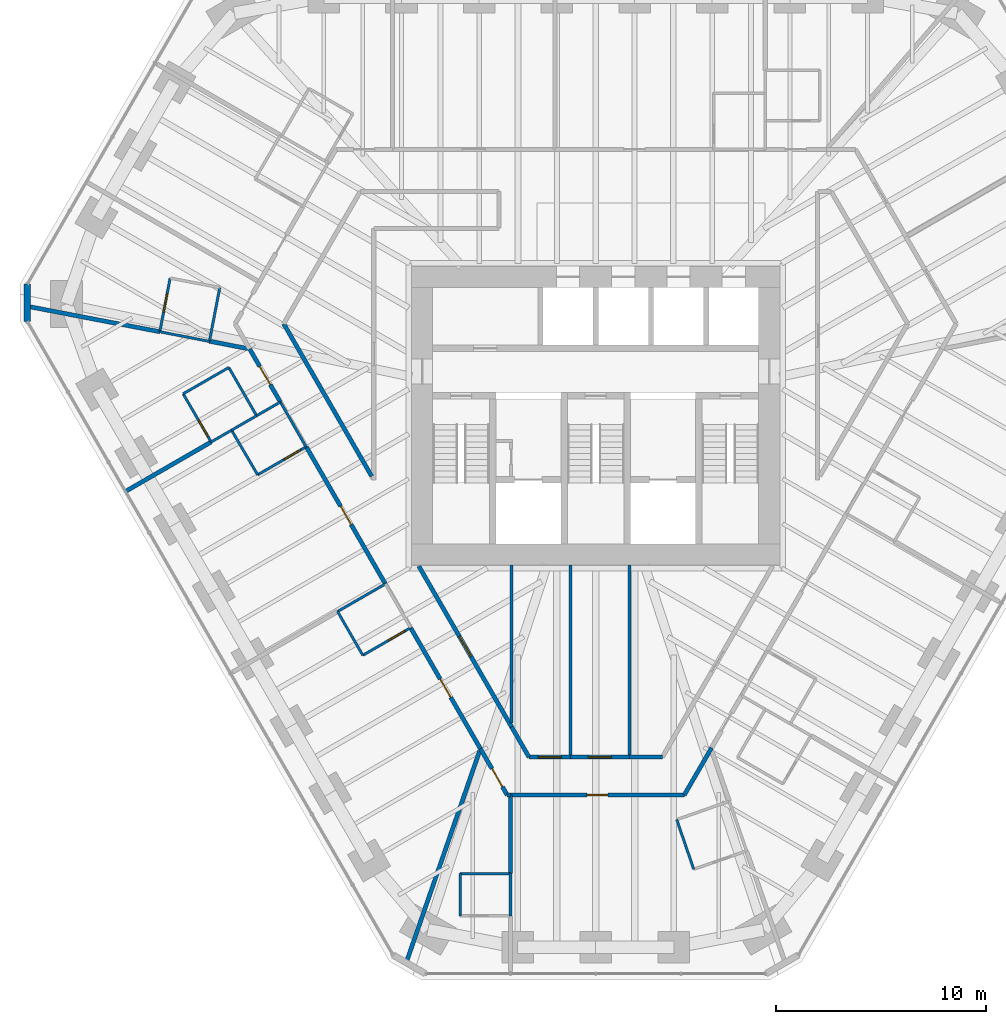
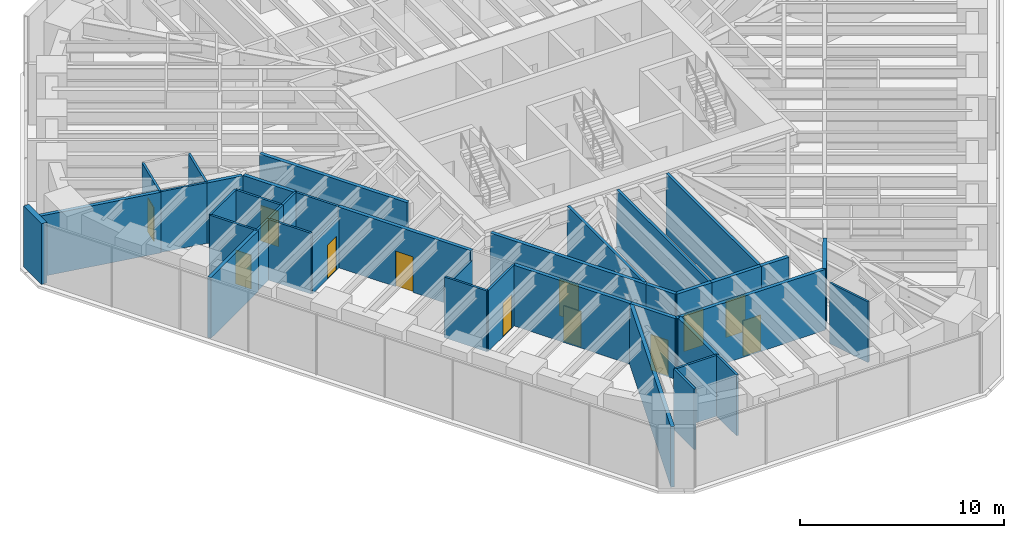
# One storey, part 11 of 16: 41 walls, 12 doors, 12 openings.
"""IFC4 building model written with IfcOpenShell, lengths in metres."""

from ifc_helpers import new_model, si_unit, direction, frame, frame_2d, origin, place, context, subcontext, project, spatial, rectangle, extrude, material, layer, layer_set, type_object, element, fill, save


model = new_model("IFC4")

# Units and contexts
model_context = context("Model", 3, precision=1e-05, world=origin(), true_north=direction((0.0, 1.0)))
body_context = subcontext(model_context, "Body", "Model", "MODEL_VIEW")
ifc_project = project(units=[si_unit("LENGTHUNIT", "METRE"), si_unit("AREAUNIT", "SQUARE_METRE"), si_unit("VOLUMEUNIT", "CUBIC_METRE"), si_unit("PLANEANGLEUNIT", "RADIAN"), si_unit("MASSUNIT", "GRAM", prefix="KILO")], contexts=[model_context])

# Site, building, storey
site_placement = place(None, origin())
site = spatial("IfcSite", under=ifc_project, at=site_placement, CompositionType="ELEMENT")
building_placement = place(site_placement, origin())
building = spatial("IfcBuilding", under=site, at=building_placement, Name="Sandreach Pilgrim Tower", CompositionType="ELEMENT")
storey_placement = place(building_placement, frame((0.0, 0.0, 225.0)))
storey = spatial("IfcBuildingStorey", under=building, at=storey_placement, Name="L56", CompositionType="ELEMENT", Elevation=225.0)

# Walls
ifc_material_1 = material(Name="Gypsum board on steel studs", Category="steel")
ifc_layer_1 = layer(ifc_material_1, 0.14990234375)
ifc_layer_set_1 = layer_set([ifc_layer_1], Name="Back of house wall 150")
wall_type_1 = type_object("IfcWallType", Name="Back of house wall 150", PredefinedType="PARTITIONING", material=ifc_layer_set_1)
wall_1_placement = place(storey_placement, frame((-4.0, -7.10009765625, 0.0), z_axis=(0.0, 0.0, 1.0), x_axis=(0.0, -1.0, 0.0)))
element("IfcWall", 1, at=wall_1_placement, inside=storey, type_object=wall_type_1, Name="Back of house wall L56-058", PredefinedType="PARTITIONING", context=body_context, shape_type="SweptSolid", body=[
    extrude(rectangle(XDim=7.514892578125, YDim=0.14990234375, at=frame_2d((3.75732421875, 0.0))), origin(), (0.0, 0.0, 1.0), 3.639892578125),
])
for number, where, z_axis, x_axis, name in (
    (2, (-1.199951171875, -7.10009765625, 0.0), (0.0, 0.0, 1.0), (0.0, -1.0, 0.0), "Back of house wall L56-063"),
    (3, (1.60009765625, -7.10009765625, 0.0), (0.0, 0.0, 1.0), (0.0, -1.0, 0.0), "Back of house wall L56-065"),
):
    element("IfcWall", number, at=place(storey_placement, frame(where, z_axis=z_axis, x_axis=x_axis)), inside=storey, type_object=wall_type_1, Name=name, PredefinedType="PARTITIONING", context=body_context, shape_type="SweptSolid", body=[
        extrude(rectangle(XDim=9.1298828125, YDim=0.14990234375, at=frame_2d((4.56494140625, 0.0))), origin(), (0.0, 0.0, 1.0), 3.639892578125),
    ])

# Wall, opening, door
ifc_material_2 = material(Name="Moisture-resistant gypsum board on steel studs", Category="steel")
ifc_layer_2 = layer(ifc_material_2, 0.1201171875)
ifc_layer_set_2 = layer_set([ifc_layer_2], Name="Bathroom partition 120")
wall_type_2 = type_object("IfcWallType", Name="Bathroom partition 120", PredefinedType="PARTITIONING", material=ifc_layer_set_2)
wall_2_placement = place(storey_placement, frame((-20.22998046875, 6.5400390625, 0.0), z_axis=(0.0, 0.0, 1.0), x_axis=(-0.188697442844, -0.982035271802, 0.0)))
wall_2 = element("IfcWall", 4, at=wall_2_placement, inside=storey, type_object=wall_type_2, Name="Bathroom partition L56-005", PredefinedType="PARTITIONING", context=body_context, shape_type="SweptSolid", body=[
    extrude(rectangle(XDim=2.5966796875, YDim=0.1201171875, at=frame_2d((1.29833984375, 0.0))), origin(), (0.0, 0.0, 1.0), 3.639892578125),
])
opening_1_placement = place(wall_2_placement, frame((0.75, 0.0, 0.0)))
opening_1 = element("IfcOpeningElement", 5, at=opening_1_placement, cuts=wall_2, Name="Opening D09-14B", PredefinedType="OPENING", context=body_context, shape_type="SweptSolid", body=[
    extrude(rectangle(XDim=0.89990234375, YDim=2.030029296875, at=frame_2d((0.449951171875, 1.01513671875))), frame((0.0, 0.06005859375, 0.0), z_axis=(0.0, -1.0, 0.0), x_axis=(1.0, 0.0, 0.0)), (0.0, 0.0, 1.0), 0.1201171875),
])
ifc_material_3 = material(Name="Timber door, steel frame", Category="steel")
door_type_1 = type_object("IfcDoorType", Name="Bathroom door", OperationType="SINGLE_SWING_LEFT", PredefinedType="DOOR", material=ifc_material_3)
door_1_placement = place(opening_1_placement, origin())
door_1 = element("IfcDoor", 6, at=door_1_placement, inside=storey, type_object=door_type_1, Name="Door 5614B", OperationType="SINGLE_SWING_LEFT", OverallHeight=2.030029296875, OverallWidth=0.89990234375, PredefinedType="DOOR", context=body_context, shape_type="SweptSolid", body=[
    extrude(rectangle(XDim=0.89990234375, YDim=2.030029296875, at=frame_2d((0.449951171875, 1.01513671875))), frame((0.0, 0.02490234375, 0.0), z_axis=(0.0, -1.0, 0.0), x_axis=(1.0, 0.0, 0.0)), (0.0, 0.0, 1.0), 0.050048828125),
])
fill(opening_1, door_1)

wall_3_placement = place(storey_placement, frame((-19.610107421875, 1.0400390625, 0.0), z_axis=(0.0, 0.0, 1.0), x_axis=(0.502242265546, -0.864726954997, 0.0)))
wall_3 = element("IfcWall", 7, at=wall_3_placement, inside=storey, type_object=wall_type_2, Name="Bathroom partition L56-006", PredefinedType="PARTITIONING", context=body_context, shape_type="SweptSolid", body=[
    extrude(rectangle(XDim=2.648193359375, YDim=0.1201171875, at=frame_2d((1.32421875, 0.0))), origin(), (0.0, 0.0, 1.0), 3.639892578125),
])
opening_2_placement = place(wall_3_placement, frame((1.4482421875, 0.0, 0.0)))
opening_2 = element("IfcOpeningElement", 8, at=opening_2_placement, cuts=wall_3, Name="Opening D09-13B", PredefinedType="OPENING", context=body_context, shape_type="SweptSolid", body=[
    extrude(rectangle(XDim=0.89990234375, YDim=2.030029296875, at=frame_2d((0.449951171875, 1.01513671875))), frame((0.0, 0.06005859375, 0.0), z_axis=(0.0, -1.0, 0.0), x_axis=(1.0, 0.0, 0.0)), (0.0, 0.0, 1.0), 0.1201171875),
])
door_2_placement = place(opening_2_placement, origin())
door_2 = element("IfcDoor", 9, at=door_2_placement, inside=storey, type_object=door_type_1, Name="Door 5613B", OperationType="SINGLE_SWING_RIGHT", OverallHeight=2.030029296875, OverallWidth=0.89990234375, PredefinedType="DOOR", context=body_context, shape_type="SweptSolid", body=[
    extrude(rectangle(XDim=0.89990234375, YDim=2.030029296875, at=frame_2d((0.449951171875, 1.01513671875))), frame((0.0, 0.02490234375, 0.0), z_axis=(0.0, -1.0, 0.0), x_axis=(1.0, 0.0, 0.0)), (0.0, 0.0, 1.0), 0.050048828125),
])
fill(opening_2, door_2)

# Walls
wall_4_placement = place(storey_placement, frame((-18.360107421875, 3.530029296875, 0.0), z_axis=(0.0, 0.0, 1.0), x_axis=(-0.981529676402, 0.191309943135, 0.0)))
element("IfcWall", 10, at=wall_4_placement, inside=storey, type_object=wall_type_2, Name="Bathroom partition L56-007", PredefinedType="PARTITIONING", context=body_context, shape_type="SweptSolid", body=[
    extrude(rectangle(XDim=2.404296875, YDim=0.1201171875, at=frame_2d((1.2021484375, 0.0))), origin(), (0.0, 0.0, 1.0), 3.639892578125),
])
wall_5_placement = place(storey_placement, frame((-18.360107421875, 3.5400390625, 0.0), z_axis=(0.0, 0.0, 1.0), x_axis=(0.188788112352, 0.982017845375, 0.0)))
element("IfcWall", 11, at=wall_5_placement, inside=storey, type_object=wall_type_2, Name="Bathroom partition L56-008", PredefinedType="PARTITIONING", context=body_context, shape_type="SweptSolid", body=[
    extrude(rectangle(XDim=2.5966796875, YDim=0.1201171875, at=frame_2d((1.29833984375, 0.0))), origin(), (0.0, 0.0, 1.0), 3.639892578125),
])
wall_6_placement = place(storey_placement, frame((-18.280029296875, -1.25, 0.0), z_axis=(0.0, 0.0, 1.0), x_axis=(0.866007717299, 0.500030632641, 0.0)))
element("IfcWall", 12, at=wall_6_placement, inside=storey, type_object=wall_type_2, Name="Bathroom partition L56-010", PredefinedType="PARTITIONING", context=body_context, shape_type="SweptSolid", body=[
    extrude(rectangle(XDim=1.1201171875, YDim=0.1201171875, at=frame_2d((0.56005859375, 0.0))), origin(), (0.0, 0.0, 1.0), 3.639892578125),
])
wall_7_placement = place(storey_placement, frame((-17.43994140625, 2.2900390625, 0.0), z_axis=(0.0, 0.0, 1.0), x_axis=(-0.86653430447, -0.499117520406, 0.0)))
element("IfcWall", 13, at=wall_7_placement, inside=storey, type_object=wall_type_2, Name="Bathroom partition L56-012", PredefinedType="PARTITIONING", context=body_context, shape_type="SweptSolid", body=[
    extrude(rectangle(XDim=2.50439453125, YDim=0.1201171875, at=frame_2d((1.252197265625, 0.0))), origin(), (0.0, 0.0, 1.0), 3.639892578125),
])
wall_8_placement = place(storey_placement, frame((-17.31005859375, -0.68994140625, 0.0), z_axis=(0.0, 0.0, 1.0), x_axis=(0.865940235891, 0.500147486112, 0.0)))
element("IfcWall", 14, at=wall_8_placement, inside=storey, type_object=wall_type_2, Name="Bathroom partition L56-013", PredefinedType="PARTITIONING", context=body_context, shape_type="SweptSolid", body=[
    extrude(rectangle(XDim=1.37548828125, YDim=0.1201171875, at=frame_2d((0.687744140625, 0.0))), origin(), (0.0, 0.0, 1.0), 3.639892578125),
])
wall_9_placement = place(storey_placement, frame((-17.31005859375, -0.68994140625, 0.0), z_axis=(0.0, 0.0, 1.0), x_axis=(0.50485955871, -0.863201497901, 0.0)))
element("IfcWall", 15, at=wall_9_placement, inside=storey, type_object=wall_type_2, Name="Bathroom partition L56-014", PredefinedType="PARTITIONING", context=body_context, shape_type="SweptSolid", body=[
    extrude(rectangle(XDim=2.4560546875, YDim=0.1201171875, at=frame_2d((1.22802734375, 0.0))), origin(), (0.0, 0.0, 1.0), 3.639892578125),
])
wall_10_placement = place(storey_placement, frame((-16.1201171875, 0.0, 0.0), z_axis=(0.0, 0.0, 1.0), x_axis=(-0.499338582192, 0.866406936915, 0.0)))
element("IfcWall", 16, at=wall_10_placement, inside=storey, type_object=wall_type_2, Name="Bathroom partition L56-020", PredefinedType="PARTITIONING", context=body_context, shape_type="SweptSolid", body=[
    extrude(rectangle(XDim=2.64306640625, YDim=0.1201171875, at=frame_2d((1.321533203125, 0.0))), origin(), (0.0, 0.0, 1.0), 3.639892578125),
])
wall_11_placement = place(storey_placement, frame((-16.118896484375, -0.001953125, 0.0), z_axis=(0.0, 0.0, 1.0), x_axis=(0.865998449813, 0.500046682742, 0.0)))
element("IfcWall", 17, at=wall_11_placement, inside=storey, type_object=wall_type_2, Name="Bathroom partition L56-021", PredefinedType="PARTITIONING", context=body_context, shape_type="SweptSolid", body=[
    extrude(rectangle(XDim=1.3037109375, YDim=0.1201171875, at=frame_2d((0.65185546875, 0.0))), origin(), (0.0, 0.0, 1.0), 3.639892578125),
])

# Wall, opening, door
wall_12_placement = place(storey_placement, frame((-16.070068359375, -2.81005859375, 0.0), z_axis=(0.0, 0.0, 1.0), x_axis=(0.865675724273, 0.500605174168, 0.0)))
wall_12 = element("IfcWall", 18, at=wall_12_placement, inside=storey, type_object=wall_type_2, Name="Bathroom partition L56-022", PredefinedType="PARTITIONING", context=body_context, shape_type="SweptSolid", body=[
    extrude(rectangle(XDim=2.656982421875, YDim=0.1201171875, at=frame_2d((1.32861328125, 0.0))), origin(), (0.0, 0.0, 1.0), 3.022705078125),
])
opening_3_placement = place(wall_12_placement, frame((1.456787109375, 0.0, 0.0)))
opening_3 = element("IfcOpeningElement", 19, at=opening_3_placement, cuts=wall_12, Name="Opening D09-12B", PredefinedType="OPENING", context=body_context, shape_type="SweptSolid", body=[
    extrude(rectangle(XDim=0.89990234375, YDim=2.030029296875, at=frame_2d((0.449951171875, 1.01513671875))), frame((0.0, 0.06005859375, 0.0), z_axis=(0.0, -1.0, 0.0), x_axis=(1.0, 0.0, 0.0)), (0.0, 0.0, 1.0), 0.1201171875),
])
door_3_placement = place(opening_3_placement, origin())
door_3 = element("IfcDoor", 20, at=door_3_placement, inside=storey, type_object=door_type_1, Name="Door 5612B", OperationType="SINGLE_SWING_RIGHT", OverallHeight=2.030029296875, OverallWidth=0.89990234375, PredefinedType="DOOR", context=body_context, shape_type="SweptSolid", body=[
    extrude(rectangle(XDim=0.89990234375, YDim=2.030029296875, at=frame_2d((0.449951171875, 1.01513671875))), frame((0.0, 0.02490234375, 0.0), z_axis=(0.0, -1.0, 0.0), x_axis=(1.0, 0.0, 0.0)), (0.0, 0.0, 1.0), 0.050048828125),
])
fill(opening_3, door_3)

# Walls
wall_13_placement = place(storey_placement, frame((-14.989990234375, 0.64990234375, 0.0), z_axis=(0.0, 0.0, 1.0), x_axis=(0.497027744361, -0.86773464915, 0.0)))
element("IfcWall", 21, at=wall_13_placement, inside=storey, type_object=wall_type_2, Name="Bathroom partition L56-024", PredefinedType="PARTITIONING", context=body_context, shape_type="SweptSolid", body=[
    extrude(rectangle(XDim=2.45458984375, YDim=0.1201171875, at=frame_2d((1.227294921875, 0.0))), origin(), (0.0, 0.0, 1.0), 3.639892578125),
])
wall_14_placement = place(storey_placement, frame((-12.27001953125, -9.31005859375, 0.0), z_axis=(0.0, 0.0, 1.0), x_axis=(0.499737123639, -0.866177122335, 0.0)))
element("IfcWall", 22, at=wall_14_placement, inside=storey, type_object=wall_type_2, Name="Bathroom partition L56-033", PredefinedType="PARTITIONING", context=body_context, shape_type="SweptSolid", body=[
    extrude(rectangle(XDim=2.401123046875, YDim=0.1201171875, at=frame_2d((1.20068359375, 0.0))), origin(), (0.0, 0.0, 1.0), 3.639892578125),
])
wall_15_placement = place(storey_placement, frame((-12.27001953125, -9.31005859375, 0.0), z_axis=(0.0, 0.0, 1.0), x_axis=(0.866114241029, 0.499846097802, 0.0)))
element("IfcWall", 23, at=wall_15_placement, inside=storey, type_object=wall_type_2, Name="Bathroom partition L56-034", PredefinedType="PARTITIONING", context=body_context, shape_type="SweptSolid", body=[
    extrude(rectangle(XDim=2.620849609375, YDim=0.1201171875, at=frame_2d((1.310546875, 0.0))), origin(), (0.0, 0.0, 1.0), 3.0380859375),
])

# Wall, opening, door
wall_16_placement = place(storey_placement, frame((-11.070068359375, -11.389892578125, 0.0), z_axis=(0.0, 0.0, 1.0), x_axis=(0.866154567199, 0.49977621564, 0.0)))
wall_16 = element("IfcWall", 24, at=wall_16_placement, inside=storey, type_object=wall_type_2, Name="Bathroom partition L56-037", PredefinedType="PARTITIONING", context=body_context, shape_type="SweptSolid", body=[
    extrude(rectangle(XDim=2.620849609375, YDim=0.1201171875, at=frame_2d((1.310546875, 0.0))), origin(), (0.0, 0.0, 1.0), 3.639892578125),
])
opening_4_placement = place(wall_16_placement, frame((1.4208984375, 0.0, 0.0)))
opening_4 = element("IfcOpeningElement", 25, at=opening_4_placement, cuts=wall_16, Name="Opening D09-11B", PredefinedType="OPENING", context=body_context, shape_type="SweptSolid", body=[
    extrude(rectangle(XDim=0.89990234375, YDim=2.030029296875, at=frame_2d((0.449951171875, 1.01513671875))), frame((0.0, 0.06005859375, 0.0), z_axis=(0.0, -1.0, 0.0), x_axis=(1.0, 0.0, 0.0)), (0.0, 0.0, 1.0), 0.1201171875),
])
door_4_placement = place(opening_4_placement, origin())
door_4 = element("IfcDoor", 26, at=door_4_placement, inside=storey, type_object=door_type_1, Name="Door 5611B", OperationType="SINGLE_SWING_RIGHT", OverallHeight=2.030029296875, OverallWidth=0.89990234375, PredefinedType="DOOR", context=body_context, shape_type="SweptSolid", body=[
    extrude(rectangle(XDim=0.89990234375, YDim=2.030029296875, at=frame_2d((0.449951171875, 1.01513671875))), frame((0.0, 0.02490234375, 0.0), z_axis=(0.0, -1.0, 0.0), x_axis=(1.0, 0.0, 0.0)), (0.0, 0.0, 1.0), 0.050048828125),
])
fill(opening_4, door_4)

# Walls
for number, where, z_axis, x_axis, name in (
    (27, (-6.449951171875, -21.77001953125, 0.0), (0.0, 0.0, 1.0), (0.0, -1.0, 0.0), "Bathroom partition L56-047"),
    (28, (-4.050048828125, -23.780029296875, 0.0), (0.0, 0.0, 1.0), (0.0, 1.0, 0.0), "Bathroom partition L56-053"),
):
    element("IfcWall", number, at=place(storey_placement, frame(where, z_axis=z_axis, x_axis=x_axis)), inside=storey, type_object=wall_type_2, Name=name, PredefinedType="PARTITIONING", context=body_context, shape_type="SweptSolid", body=[
        extrude(rectangle(XDim=2.010009765625, YDim=0.1201171875, at=frame_2d((1.0048828125, 0.0))), origin(), (0.0, 0.0, 1.0), 3.639892578125),
    ])
wall_17_placement = place(storey_placement, frame((-4.050048828125, -21.77001953125, 0.0), z_axis=(0.0, 0.0, 1.0), x_axis=(-1.0, 0.0, 0.0)))
element("IfcWall", 29, at=wall_17_placement, inside=storey, type_object=wall_type_2, Name="Bathroom partition L56-054", PredefinedType="PARTITIONING", context=body_context, shape_type="SweptSolid", body=[
    extrude(rectangle(XDim=2.39990234375, YDim=0.1201171875, at=frame_2d((1.199951171875, 0.0))), origin(), (0.0, 0.0, 1.0), 3.639892578125),
])
wall_18_placement = place(storey_placement, frame((3.85009765625, -19.199951171875, 0.0), z_axis=(0.0, 0.0, 1.0), x_axis=(0.324551952924, -0.945867871245, 0.0)))
element("IfcWall", 30, at=wall_18_placement, inside=storey, type_object=wall_type_2, Name="Bathroom partition L56-067", PredefinedType="PARTITIONING", context=body_context, shape_type="SweptSolid", body=[
    extrude(rectangle(XDim=2.4951171875, YDim=0.1201171875, at=frame_2d((1.24755859375, 0.0))), origin(), (0.0, 0.0, 1.0), 3.639892578125),
])

# Wall, opening, door
ifc_material_4 = material(Name="Gypsum board on steel studs, two layers each side", Category="steel")
ifc_layer_3 = layer(ifc_material_4, 0.199951171875)
ifc_layer_set_3 = layer_set([ifc_layer_3], Name="Corridor wall 200")
wall_type_3 = type_object("IfcWallType", Name="Corridor wall 200", PredefinedType="PARTITIONING", material=ifc_layer_set_3)
wall_19_placement = place(storey_placement, frame((-16.449951171875, 3.169921875, 0.0), z_axis=(0.0, 0.0, 1.0), x_axis=(0.501293994647, -0.865277025542, 0.0)))
wall_19 = element("IfcWall", 31, at=wall_19_placement, inside=storey, type_object=wall_type_3, Name="Corridor wall L56-018", PredefinedType="PARTITIONING", context=body_context, shape_type="SweptSolid", body=[
    extrude(rectangle(XDim=2.912353515625, YDim=0.199951171875, at=frame_2d((1.4560546875, 0.0))), origin(), (0.0, 0.0, 1.0), 3.639892578125),
])
opening_5_placement = place(wall_19_placement, frame((0.956298828125, 0.0, 0.0)))
opening_5 = element("IfcOpeningElement", 32, at=opening_5_placement, cuts=wall_19, Name="Opening D10-13", PredefinedType="OPENING", context=body_context, shape_type="SweptSolid", body=[
    extrude(rectangle(XDim=1.0, YDim=2.1298828125, at=frame_2d((0.5, 1.06494140625))), frame((0.0, 0.10009765625, 0.0), z_axis=(0.0, -1.0, 0.0), x_axis=(1.0, 0.0, 0.0)), (0.0, 0.0, 1.0), 0.199951171875),
])
ifc_material_5 = material(Name="Steel door and frame", Category="steel")
door_type_2 = type_object("IfcDoorType", Name="Guest room entry door", OperationType="SINGLE_SWING_LEFT", PredefinedType="DOOR", material=ifc_material_5)
door_5_placement = place(opening_5_placement, origin())
door_5 = element("IfcDoor", 33, at=door_5_placement, inside=storey, type_object=door_type_2, Name="Door 5613", OperationType="SINGLE_SWING_LEFT", OverallHeight=2.1298828125, OverallWidth=1.0, PredefinedType="DOOR", context=body_context, shape_type="SweptSolid", body=[
    extrude(rectangle(XDim=1.0, YDim=2.1298828125, at=frame_2d((0.5, 1.06494140625))), frame((0.0, 0.02490234375, 0.0), z_axis=(0.0, -1.0, 0.0), x_axis=(1.0, 0.0, 0.0)), (0.0, 0.0, 1.0), 0.050048828125),
])
fill(opening_5, door_5)

# Wall
wall_20_placement = place(storey_placement, frame((-10.6474609375, -2.881103515625, 0.0), z_axis=(0.0, 0.0, 1.0), x_axis=(-0.499665221769, 0.866218601829, 0.0)))
element("IfcWall", 34, at=wall_20_placement, inside=storey, type_object=wall_type_3, Name="Corridor wall L56-038", PredefinedType="PARTITIONING", context=body_context, shape_type="SweptSolid", body=[
    extrude(rectangle(XDim=8.370849609375, YDim=0.199951171875, at=frame_2d((4.185546875, 0.0))), origin(), (0.0, 0.0, 1.0), 3.639892578125),
])

# Wall, opening, door
wall_21_placement = place(storey_placement, frame((-9.9970703125, -7.998291015625, 0.0), z_axis=(0.0, 0.0, 1.0), x_axis=(-0.499699067435, 0.866199077582, 0.0)))
wall_21 = element("IfcWall", 35, at=wall_21_placement, inside=storey, type_object=wall_type_3, Name="Corridor wall L56-041", PredefinedType="PARTITIONING", context=body_context, shape_type="SweptSolid", body=[
    extrude(rectangle(XDim=7.531494140625, YDim=0.199951171875, at=frame_2d((3.765625, 0.0))), origin(), (0.0, 0.0, 1.0), 3.639892578125),
])
opening_6_placement = place(wall_21_placement, frame((3.265869140625, 0.0, 0.0)))
opening_6 = element("IfcOpeningElement", 36, at=opening_6_placement, cuts=wall_21, Name="Opening D10-12", PredefinedType="OPENING", context=body_context, shape_type="SweptSolid", body=[
    extrude(rectangle(XDim=1.0, YDim=2.1298828125, at=frame_2d((0.5, 1.06494140625))), frame((0.0, 0.10009765625, 0.0), z_axis=(0.0, -1.0, 0.0), x_axis=(1.0, 0.0, 0.0)), (0.0, 0.0, 1.0), 0.199951171875),
])
door_6_placement = place(opening_6_placement, origin())
door_6 = element("IfcDoor", 37, at=door_6_placement, inside=storey, type_object=door_type_2, Name="Door 5612", OperationType="SINGLE_SWING_LEFT", OverallHeight=2.1298828125, OverallWidth=1.0, PredefinedType="DOOR", context=body_context, shape_type="SweptSolid", body=[
    extrude(rectangle(XDim=1.0, YDim=2.1298828125, at=frame_2d((0.5, 1.06494140625))), frame((0.0, 0.02490234375, 0.0), z_axis=(0.0, -1.0, 0.0), x_axis=(1.0, 0.0, 0.0)), (0.0, 0.0, 1.0), 0.050048828125),
])
fill(opening_6, door_6)

wall_22_placement = place(storey_placement, frame((-8.800048828125, -10.080078125, 0.0), z_axis=(0.0, 0.0, 1.0), x_axis=(0.500034373799, -0.866005557153, 0.0)))
wall_22 = element("IfcWall", 38, at=wall_22_placement, inside=storey, type_object=wall_type_3, Name="Corridor wall L56-045", PredefinedType="PARTITIONING", context=body_context, shape_type="SweptSolid", body=[
    extrude(rectangle(XDim=6.6396484375, YDim=0.199951171875, at=frame_2d((3.31982421875, 0.0))), origin(), (0.0, 0.0, 1.0), 3.639892578125),
])
opening_7_placement = place(wall_22_placement, frame((2.81982421875, 0.0, 0.0)))
opening_7 = element("IfcOpeningElement", 39, at=opening_7_placement, cuts=wall_22, Name="Opening D10-11", PredefinedType="OPENING", context=body_context, shape_type="SweptSolid", body=[
    extrude(rectangle(XDim=1.0, YDim=2.1298828125, at=frame_2d((0.5, 1.06494140625))), frame((0.0, 0.10009765625, 0.0), z_axis=(0.0, -1.0, 0.0), x_axis=(1.0, 0.0, 0.0)), (0.0, 0.0, 1.0), 0.199951171875),
])
door_7_placement = place(opening_7_placement, origin())
door_7 = element("IfcDoor", 40, at=door_7_placement, inside=storey, type_object=door_type_2, Name="Door 5611", OperationType="SINGLE_SWING_LEFT", OverallHeight=2.1298828125, OverallWidth=1.0, PredefinedType="DOOR", context=body_context, shape_type="SweptSolid", body=[
    extrude(rectangle(XDim=1.0, YDim=2.1298828125, at=frame_2d((0.5, 1.06494140625))), frame((0.0, 0.02490234375, 0.0), z_axis=(0.0, -1.0, 0.0), x_axis=(1.0, 0.0, 0.0)), (0.0, 0.0, 1.0), 0.050048828125),
])
fill(opening_7, door_7)

wall_23_placement = place(storey_placement, frame((-5.47998046875, -15.830078125, 0.0), z_axis=(0.0, 0.0, 1.0), x_axis=(0.499963722229, -0.866046347752, 0.0)))
wall_23 = element("IfcWall", 41, at=wall_23_placement, inside=storey, type_object=wall_type_3, Name="Corridor wall L56-048", PredefinedType="PARTITIONING", context=body_context, shape_type="SweptSolid", body=[
    extrude(rectangle(XDim=2.540283203125, YDim=0.199951171875, at=frame_2d((1.27001953125, 0.0))), origin(), (0.0, 0.0, 1.0), 3.639892578125),
])
opening_8_placement = place(wall_23_placement, frame((1.10009765625, 0.0, 0.0)))
opening_8 = element("IfcOpeningElement", 42, at=opening_8_placement, cuts=wall_23, Name="Opening D10-10", PredefinedType="OPENING", context=body_context, shape_type="SweptSolid", body=[
    extrude(rectangle(XDim=1.0, YDim=2.1298828125, at=frame_2d((0.5, 1.06494140625))), frame((0.0, 0.10009765625, 0.0), z_axis=(0.0, -1.0, 0.0), x_axis=(1.0, 0.0, 0.0)), (0.0, 0.0, 1.0), 0.199951171875),
])
door_8_placement = place(opening_8_placement, origin())
door_8 = element("IfcDoor", 43, at=door_8_placement, inside=storey, type_object=door_type_2, Name="Door 5610", OperationType="SINGLE_SWING_RIGHT", OverallHeight=2.1298828125, OverallWidth=1.0, PredefinedType="DOOR", context=body_context, shape_type="SweptSolid", body=[
    extrude(rectangle(XDim=1.0, YDim=2.1298828125, at=frame_2d((0.5, 1.06494140625))), frame((0.0, 0.02490234375, 0.0), z_axis=(0.0, -1.0, 0.0), x_axis=(1.0, 0.0, 0.0)), (0.0, 0.0, 1.0), 0.050048828125),
])
fill(opening_8, door_8)

# Wall
wall_24_placement = place(storey_placement, frame((-4.2099609375, -18.030029296875, 0.0), z_axis=(0.0, 0.0, 1.0), x_axis=(1.0, 0.0, 0.0)))
element("IfcWall", 44, at=wall_24_placement, inside=storey, type_object=wall_type_3, Name="Corridor wall L56-051", PredefinedType="PARTITIONING", context=body_context, shape_type="SweptSolid", body=[
    extrude(rectangle(XDim=0.159912109375, YDim=0.199951171875, at=frame_2d((0.080078125, 0.0))), origin(), (0.0, 0.0, 1.0), 3.639892578125),
])

# Wall, opening, door
wall_25_placement = place(storey_placement, frame((-4.050048828125, -18.030029296875, 0.0), z_axis=(0.0, 0.0, 1.0), x_axis=(1.0, 0.0, 0.0)))
wall_25 = element("IfcWall", 45, at=wall_25_placement, inside=storey, type_object=wall_type_3, Name="Corridor wall L56-056", PredefinedType="PARTITIONING", context=body_context, shape_type="SweptSolid", body=[
    extrude(rectangle(XDim=8.260009765625, YDim=0.199951171875, at=frame_2d((4.1298828125, 0.0))), origin(), (0.0, 0.0, 1.0), 3.639892578125),
])
opening_9_placement = place(wall_25_placement, frame((3.6298828125, 0.0, 0.0)))
opening_9 = element("IfcOpeningElement", 46, at=opening_9_placement, cuts=wall_25, Name="Opening D10-09", PredefinedType="OPENING", context=body_context, shape_type="SweptSolid", body=[
    extrude(rectangle(XDim=1.0, YDim=2.1298828125, at=frame_2d((0.5, 1.06494140625))), frame((0.0, 0.10009765625, 0.0), z_axis=(0.0, -1.0, 0.0), x_axis=(1.0, 0.0, 0.0)), (0.0, 0.0, 1.0), 0.199951171875),
])
door_9_placement = place(opening_9_placement, origin())
door_9 = element("IfcDoor", 47, at=door_9_placement, inside=storey, type_object=door_type_2, Name="Door 5609", OperationType="SINGLE_SWING_LEFT", OverallHeight=2.1298828125, OverallWidth=1.0, PredefinedType="DOOR", context=body_context, shape_type="SweptSolid", body=[
    extrude(rectangle(XDim=1.0, YDim=2.1298828125, at=frame_2d((0.5, 1.06494140625))), frame((0.0, 0.02490234375, 0.0), z_axis=(0.0, -1.0, 0.0), x_axis=(1.0, 0.0, 0.0)), (0.0, 0.0, 1.0), 0.050048828125),
])
fill(opening_9, door_9)

wall_26_placement = place(storey_placement, frame((-4.0, -14.7900390625, 0.0), z_axis=(0.0, 0.0, 1.0), x_axis=(-0.499916512745, 0.866073599808, 0.0)))
wall_26 = element("IfcWall", 48, at=wall_26_placement, inside=storey, type_object=wall_type_3, Name="Corridor wall L56-057", PredefinedType="PARTITIONING", context=body_context, shape_type="SweptSolid", body=[
    extrude(rectangle(XDim=8.8212890625, YDim=0.199951171875, at=frame_2d((4.41064453125, 0.0))), origin(), (0.0, 0.0, 1.0), 3.639892578125),
])
opening_10_placement = place(wall_26_placement, frame((3.860595703125, 0.0, 0.0)))
opening_10 = element("IfcOpeningElement", 49, at=opening_10_placement, cuts=wall_26, Name="Opening D11H-S1", PredefinedType="OPENING", context=body_context, shape_type="SweptSolid", body=[
    extrude(rectangle(XDim=1.10009765625, YDim=2.199951171875, at=frame_2d((0.550048828125, 1.10009765625))), frame((0.0, 0.10009765625, 0.0), z_axis=(0.0, -1.0, 0.0), x_axis=(1.0, 0.0, 0.0)), (0.0, 0.0, 1.0), 0.199951171875),
])
ifc_material_6 = material(Name="Steel door and frame", Category="steel")
door_type_3 = type_object("IfcDoorType", Name="Back of house door", OperationType="SINGLE_SWING_LEFT", PredefinedType="DOOR", material=ifc_material_6)
door_10_placement = place(opening_10_placement, origin())
door_10 = element("IfcDoor", 50, at=door_10_placement, inside=storey, type_object=door_type_3, Name="Door 56S1", OperationType="SINGLE_SWING_LEFT", OverallHeight=2.199951171875, OverallWidth=1.10009765625, PredefinedType="DOOR", context=body_context, shape_type="SweptSolid", body=[
    extrude(rectangle(XDim=1.10009765625, YDim=2.199951171875, at=frame_2d((0.550048828125, 1.10009765625))), frame((0.0, 0.02490234375, 0.0), z_axis=(0.0, -1.0, 0.0), x_axis=(1.0, 0.0, 0.0)), (0.0, 0.0, 1.0), 0.050048828125),
])
fill(opening_10, door_10)

# Wall
wall_27_placement = place(storey_placement, frame((-3.169921875, -16.22998046875, 0.0), z_axis=(0.0, 0.0, 1.0), x_axis=(-0.499425709803, 0.866356716594, 0.0)))
element("IfcWall", 51, at=wall_27_placement, inside=storey, type_object=wall_type_3, Name="Corridor wall L56-059", PredefinedType="PARTITIONING", context=body_context, shape_type="SweptSolid", body=[
    extrude(rectangle(XDim=1.662109375, YDim=0.199951171875, at=frame_2d((0.8310546875, 0.0))), origin(), (0.0, 0.0, 1.0), 3.639892578125),
])

# Wall, opening, door
wall_28_placement = place(storey_placement, frame((-1.199951171875, -16.22998046875, 0.0), z_axis=(0.0, 0.0, 1.0), x_axis=(-1.0, 0.0, 0.0)))
wall_28 = element("IfcWall", 52, at=wall_28_placement, inside=storey, type_object=wall_type_3, Name="Corridor wall L56-062", PredefinedType="PARTITIONING", context=body_context, shape_type="SweptSolid", body=[
    extrude(rectangle(XDim=1.969970703125, YDim=0.199951171875, at=frame_2d((0.98486328125, 0.0))), origin(), (0.0, 0.0, 1.0), 3.639892578125),
])
opening_11_placement = place(wall_28_placement, frame((0.43505859375, 0.0, 0.0)))
opening_11 = element("IfcOpeningElement", 53, at=opening_11_placement, cuts=wall_28, Name="Opening D11H-S2", PredefinedType="OPENING", context=body_context, shape_type="SweptSolid", body=[
    extrude(rectangle(XDim=1.10009765625, YDim=2.199951171875, at=frame_2d((0.550048828125, 1.10009765625))), frame((0.0, 0.10009765625, 0.0), z_axis=(0.0, -1.0, 0.0), x_axis=(1.0, 0.0, 0.0)), (0.0, 0.0, 1.0), 0.199951171875),
])
door_11_placement = place(opening_11_placement, origin())
door_11 = element("IfcDoor", 54, at=door_11_placement, inside=storey, type_object=door_type_3, Name="Door 56S2", OperationType="SINGLE_SWING_LEFT", OverallHeight=2.199951171875, OverallWidth=1.10009765625, PredefinedType="DOOR", context=body_context, shape_type="SweptSolid", body=[
    extrude(rectangle(XDim=1.10009765625, YDim=2.199951171875, at=frame_2d((0.550048828125, 1.10009765625))), frame((0.0, 0.02490234375, 0.0), z_axis=(0.0, -1.0, 0.0), x_axis=(1.0, 0.0, 0.0)), (0.0, 0.0, 1.0), 0.050048828125),
])
fill(opening_11, door_11)

wall_29_placement = place(storey_placement, frame((1.60009765625, -16.22998046875, 0.0), z_axis=(0.0, 0.0, 1.0), x_axis=(-1.0, 0.0, 0.0)))
wall_29 = element("IfcWall", 55, at=wall_29_placement, inside=storey, type_object=wall_type_3, Name="Corridor wall L56-064", PredefinedType="PARTITIONING", context=body_context, shape_type="SweptSolid", body=[
    extrude(rectangle(XDim=2.800048828125, YDim=0.199951171875, at=frame_2d((1.39990234375, 0.0))), origin(), (0.0, 0.0, 1.0), 3.639892578125),
])
opening_12_placement = place(wall_29_placement, frame((0.85009765625, 0.0, 0.0)))
opening_12 = element("IfcOpeningElement", 56, at=opening_12_placement, cuts=wall_29, Name="Opening D11H-S3", PredefinedType="OPENING", context=body_context, shape_type="SweptSolid", body=[
    extrude(rectangle(XDim=1.10009765625, YDim=2.199951171875, at=frame_2d((0.550048828125, 1.10009765625))), frame((0.0, 0.10009765625, 0.0), z_axis=(0.0, -1.0, 0.0), x_axis=(1.0, 0.0, 0.0)), (0.0, 0.0, 1.0), 0.199951171875),
])
door_12_placement = place(opening_12_placement, origin())
door_12 = element("IfcDoor", 57, at=door_12_placement, inside=storey, type_object=door_type_3, Name="Door 56S3", OperationType="SINGLE_SWING_LEFT", OverallHeight=2.199951171875, OverallWidth=1.10009765625, PredefinedType="DOOR", context=body_context, shape_type="SweptSolid", body=[
    extrude(rectangle(XDim=1.10009765625, YDim=2.199951171875, at=frame_2d((0.550048828125, 1.10009765625))), frame((0.0, 0.02490234375, 0.0), z_axis=(0.0, -1.0, 0.0), x_axis=(1.0, 0.0, 0.0)), (0.0, 0.0, 1.0), 0.050048828125),
])
fill(opening_12, door_12)

# Walls
wall_30_placement = place(storey_placement, frame((3.169921875, -16.22998046875, 0.0), z_axis=(0.0, 0.0, 1.0), x_axis=(-1.0, 0.0, 0.0)))
element("IfcWall", 58, at=wall_30_placement, inside=storey, type_object=wall_type_3, Name="Corridor wall L56-066", PredefinedType="PARTITIONING", context=body_context, shape_type="SweptSolid", body=[
    extrude(rectangle(XDim=1.56982421875, YDim=0.199951171875, at=frame_2d((0.784912109375, 0.0))), origin(), (0.0, 0.0, 1.0), 3.639892578125),
])
wall_31_placement = place(storey_placement, frame((5.510009765625, -15.7900390625, 0.0), z_axis=(0.0, 0.0, 1.0), x_axis=(-0.501964949025, -0.864887963814, 0.0)))
element("IfcWall", 59, at=wall_31_placement, inside=storey, type_object=wall_type_3, Name="Corridor wall L56-069", PredefinedType="PARTITIONING", context=body_context, shape_type="SweptSolid", body=[
    extrude(rectangle(XDim=2.58984375, YDim=0.199951171875, at=frame_2d((1.294921875, 0.0))), origin(), (0.0, 0.0, 1.0), 3.639892578125),
])
ifc_material_7 = material(Name="Double steel stud acoustic wall, gypsum board", Category="steel")
ifc_layer_4 = layer(ifc_material_7, 0.199951171875)
ifc_layer_set_4 = layer_set([ifc_layer_4], Name="Party wall 200")
wall_type_4 = type_object("IfcWallType", Name="Party wall 200", PredefinedType="PARTITIONING", material=ifc_layer_set_4)
wall_32_placement = place(storey_placement, frame((-27.04052734375, 5.204345703125, 0.0), z_axis=(0.0, 0.0, 1.0), x_axis=(0.98203917013, -0.188677153703, 0.0)))
element("IfcWall", 60, at=wall_32_placement, inside=storey, type_object=wall_type_4, Name="Party wall L56-001", PredefinedType="PARTITIONING", context=body_context, shape_type="SweptSolid", body=[
    extrude(rectangle(XDim=6.43603515625, YDim=0.199951171875, at=frame_2d((3.218017578125, 0.0))), origin(), (0.0, 0.0, 1.0), 3.639892578125),
])
wall_33_placement = place(storey_placement, frame((-22.323974609375, -3.5849609375, 0.0), z_axis=(0.0, 0.0, 1.0), x_axis=(0.86600796803, 0.500030198396, 0.0)))
element("IfcWall", 61, at=wall_33_placement, inside=storey, type_object=wall_type_4, Name="Party wall L56-003", PredefinedType="PARTITIONING", context=body_context, shape_type="SweptSolid", body=[
    extrude(rectangle(XDim=4.669677734375, YDim=0.199951171875, at=frame_2d((2.3349609375, 0.0))), origin(), (0.0, 0.0, 1.0), 3.639892578125),
])
wall_34_placement = place(storey_placement, frame((-18.360107421875, 3.5400390625, 0.0), z_axis=(0.0, 0.0, 1.0), x_axis=(0.981743214677, -0.190211094409, 0.0)))
element("IfcWall", 62, at=wall_34_placement, inside=storey, type_object=wall_type_4, Name="Party wall L56-009", PredefinedType="PARTITIONING", context=body_context, shape_type="SweptSolid", body=[
    extrude(rectangle(XDim=1.845703125, YDim=0.199951171875, at=frame_2d((0.9228515625, 0.0))), origin(), (0.0, 0.0, 1.0), 3.639892578125),
])
wall_35_placement = place(storey_placement, frame((-9.01025390625, -26.01171875, 0.0), z_axis=(0.0, 0.0, 1.0), x_axis=(0.327582991606, 0.944822408504, 0.0)))
element("IfcWall", 63, at=wall_35_placement, inside=storey, type_object=wall_type_4, Name="Party wall L56-044", PredefinedType="PARTITIONING", context=body_context, shape_type="SweptSolid", body=[
    extrude(rectangle(XDim=10.66650390625, YDim=0.199951171875, at=frame_2d((5.333251953125, 0.0))), origin(), (0.0, 0.0, 1.0), 3.639892578125),
])
wall_36_placement = place(storey_placement, frame((-4.050048828125, -21.77001953125, 0.0), z_axis=(0.0, 0.0, 1.0), x_axis=(0.0, 1.0, 0.0)))
element("IfcWall", 64, at=wall_36_placement, inside=storey, type_object=wall_type_4, Name="Party wall L56-055", PredefinedType="PARTITIONING", context=body_context, shape_type="SweptSolid", body=[
    extrude(rectangle(XDim=3.72998046875, YDim=0.199951171875, at=frame_2d((1.864990234375, 0.0))), origin(), (0.0, 0.0, 1.0), 3.639892578125),
])
ifc_material_8 = material(Name="Terracotta rainscreen on concrete", Category="masonry")
ifc_layer_5 = layer(ifc_material_8, 0.300048828125)
ifc_layer_set_5 = layer_set([ifc_layer_5], Name="Terracotta chamfer pier")
wall_type_5 = type_object("IfcWallType", Name="Terracotta chamfer pier", PredefinedType="SOLIDWALL", material=ifc_layer_set_5)
wall_37_placement = place(storey_placement, frame((-27.02001953125, 4.47998046875, 0.0), z_axis=(0.0, 0.0, 1.0), x_axis=(0.0, 1.0, 0.0)))
element("IfcWall", 65, at=wall_37_placement, inside=storey, type_object=wall_type_5, Name="Chamfer pier L56 SW", PredefinedType="SOLIDWALL", context=body_context, shape_type="SweptSolid", body=[
    extrude(rectangle(XDim=1.77001953125, YDim=0.300048828125, at=frame_2d((0.885009765625, 0.0))), origin(), (0.0, 0.0, 1.0), 3.639892578125),
])

save(model, "model.ifc")
